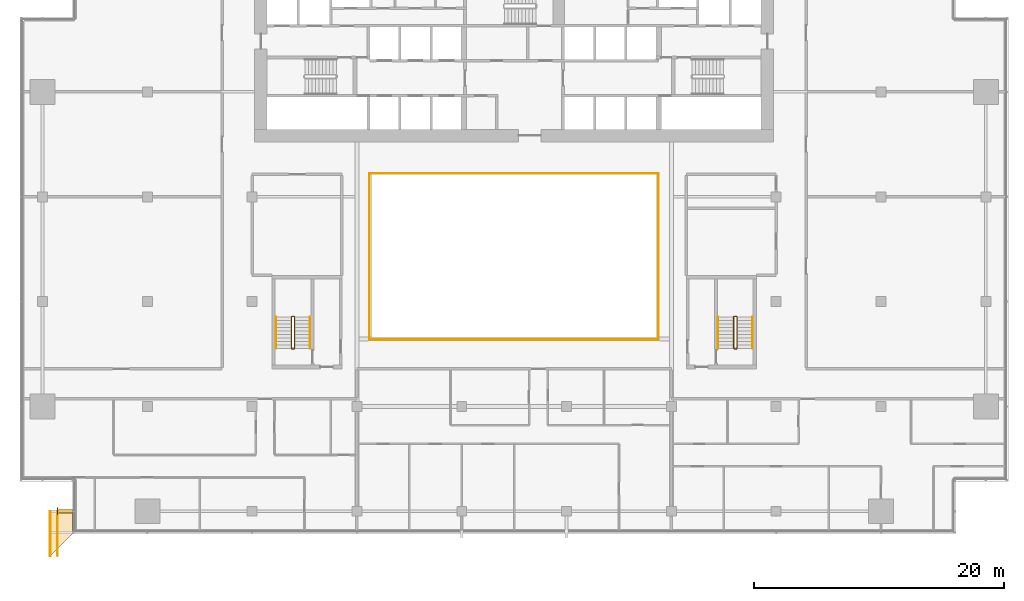
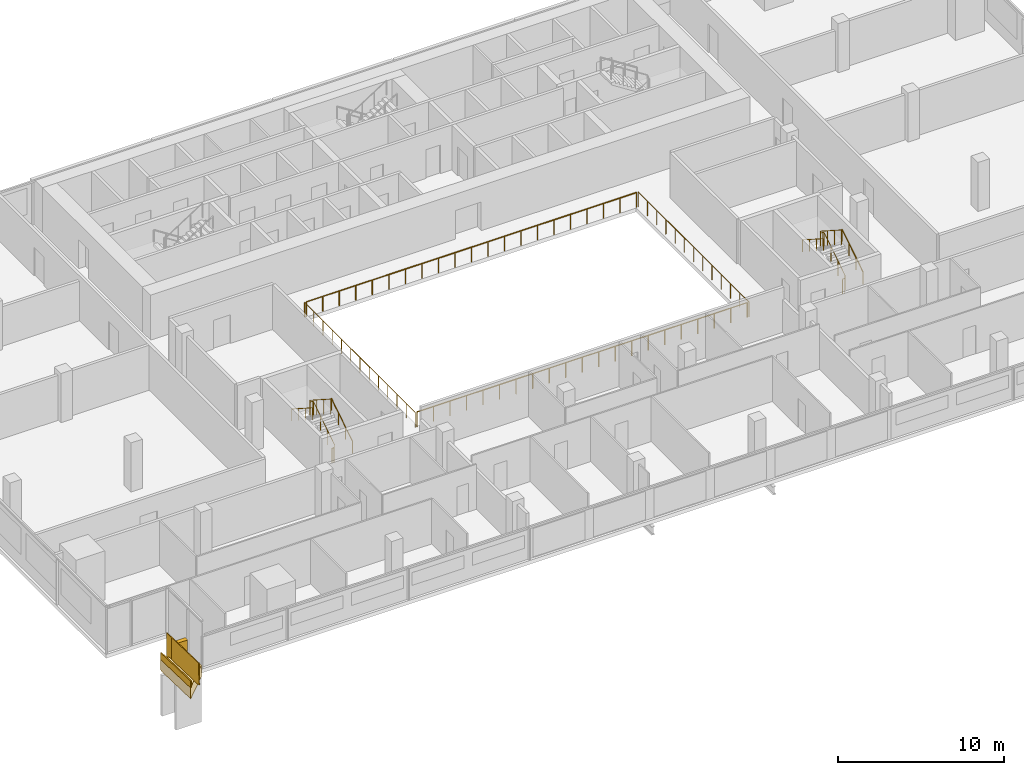
# One storey, part 25 of 26: 12 railings, 3 coverings.
"""IFC4 building model written with IfcOpenShell, lengths in metres."""

from ifc_helpers import new_model, si_unit, direction, frame, origin, origin_2d, place, context, subcontext, project, spatial, polyline, rectangle, circle, outline, extrude, material, layer, layer_set, type_object, element, save


model = new_model("IFC4")

# Units and contexts
model_context = context("Model", 3, precision=1e-05, world=origin(), true_north=direction((0.0, 1.0)))
body_context = subcontext(model_context, "Body", "Model", "MODEL_VIEW")
ifc_project = project(units=[si_unit("LENGTHUNIT", "METRE"), si_unit("AREAUNIT", "SQUARE_METRE"), si_unit("VOLUMEUNIT", "CUBIC_METRE"), si_unit("PLANEANGLEUNIT", "RADIAN"), si_unit("MASSUNIT", "GRAM", prefix="KILO")], contexts=[model_context])

# Site, building, storey
site_placement = place(None, origin())
site = spatial("IfcSite", under=ifc_project, at=site_placement, CompositionType="ELEMENT")
building_placement = place(site_placement, origin())
building = spatial("IfcBuilding", under=site, at=building_placement, Name="Saffron Gate Tower", CompositionType="ELEMENT")
storey_placement = place(building_placement, frame((0.0, 0.0, 138.449951171875)))
storey = spatial("IfcBuildingStorey", under=building, at=storey_placement, Name="L33", CompositionType="ELEMENT", Elevation=138.449951171875)

# Railings
ifc_material_1 = material(Name="Stainless steel and laminated glass", Category="steel")
railing_type_1 = type_object("IfcRailingType", Name="AG1 Atrium edge guard 1100", PredefinedType="GUARDRAIL", material=ifc_material_1)
railing_1_placement = place(storey_placement, frame((76.02001953125, 45.5400390625, 0.0)))
element("IfcRailing", 1, at=railing_1_placement, inside=storey, type_object=railing_type_1, Name="Guard B5-1", PredefinedType="GUARDRAIL", context=body_context, shape_type="SweptSolid", body=[
    extrude(circle(Radius=0.02392578125, at=origin_2d()), frame((0.0, 0.0, 1.076171875), z_axis=(0.0, 1.0, 0.0), x_axis=(-1.0, 0.0, 0.0)), (0.0, 0.0, 1.0), 13.320068359375),
    extrude(circle(Radius=0.02099609375, at=origin_2d()), origin(), (0.0, 0.0, 1.0), 1.052001953125),
    extrude(circle(Radius=0.02099609375, at=origin_2d()), frame((0.0, 1.110107421875, 0.0)), (0.0, 0.0, 1.0), 1.052001953125),
    extrude(circle(Radius=0.02099609375, at=origin_2d()), frame((0.0, 2.219970703125, 0.0)), (0.0, 0.0, 1.0), 1.052001953125),
    extrude(circle(Radius=0.02099609375, at=origin_2d()), frame((0.0, 3.330078125, 0.0)), (0.0, 0.0, 1.0), 1.052001953125),
    extrude(circle(Radius=0.02099609375, at=origin_2d()), frame((0.0, 4.43994140625, 0.0)), (0.0, 0.0, 1.0), 1.052001953125),
    extrude(circle(Radius=0.02099609375, at=origin_2d()), frame((0.0, 5.550048828125, 0.0)), (0.0, 0.0, 1.0), 1.052001953125),
    extrude(circle(Radius=0.02099609375, at=origin_2d()), frame((0.0, 6.66015625, 0.0)), (0.0, 0.0, 1.0), 1.052001953125),
    extrude(circle(Radius=0.02099609375, at=origin_2d()), frame((0.0, 7.77001953125, 0.0)), (0.0, 0.0, 1.0), 1.052001953125),
    extrude(circle(Radius=0.02099609375, at=origin_2d()), frame((0.0, 8.880126953125, 0.0)), (0.0, 0.0, 1.0), 1.052001953125),
    extrude(circle(Radius=0.02099609375, at=origin_2d()), frame((0.0, 9.989990234375, 0.0)), (0.0, 0.0, 1.0), 1.052001953125),
    extrude(circle(Radius=0.02099609375, at=origin_2d()), frame((0.0, 11.10009765625, 0.0)), (0.0, 0.0, 1.0), 1.052001953125),
    extrude(circle(Radius=0.02099609375, at=origin_2d()), frame((0.0, 12.2099609375, 0.0)), (0.0, 0.0, 1.0), 1.052001953125),
    extrude(circle(Radius=0.02099609375, at=origin_2d()), frame((0.0, 13.320068359375, 0.0)), (0.0, 0.0, 1.0), 1.052001953125),
])
railing_2_placement = place(storey_placement, frame((76.139892578125, 58.860107421875, 0.0)))
element("IfcRailing", 2, at=railing_2_placement, inside=storey, type_object=railing_type_1, Name="Guard B5-2", PredefinedType="GUARDRAIL", context=body_context, shape_type="SweptSolid", body=[
    extrude(circle(Radius=0.02392578125, at=origin_2d()), frame((0.0, 0.0, 1.076171875), z_axis=(1.0, 0.0, 0.0), x_axis=(0.0, 1.0, 0.0)), (0.0, 0.0, 1.0), 22.920166015625),
    extrude(circle(Radius=0.02099609375, at=origin_2d()), origin(), (0.0, 0.0, 1.0), 1.052001953125),
    extrude(circle(Radius=0.02099609375, at=origin_2d()), frame((1.14599609375, 0.0, 0.0)), (0.0, 0.0, 1.0), 1.052001953125),
    extrude(circle(Radius=0.02099609375, at=origin_2d()), frame((2.2919921875, 0.0, 0.0)), (0.0, 0.0, 1.0), 1.052001953125),
    extrude(circle(Radius=0.02099609375, at=origin_2d()), frame((3.43798828125, 0.0, 0.0)), (0.0, 0.0, 1.0), 1.052001953125),
    extrude(circle(Radius=0.02099609375, at=origin_2d()), frame((4.583984375, 0.0, 0.0)), (0.0, 0.0, 1.0), 1.052001953125),
    extrude(circle(Radius=0.02099609375, at=origin_2d()), frame((5.72998046875, 0.0, 0.0)), (0.0, 0.0, 1.0), 1.052001953125),
    extrude(circle(Radius=0.02099609375, at=origin_2d()), frame((6.8759765625, 0.0, 0.0)), (0.0, 0.0, 1.0), 1.052001953125),
    extrude(circle(Radius=0.02099609375, at=origin_2d()), frame((8.02197265625, 0.0, 0.0)), (0.0, 0.0, 1.0), 1.052001953125),
    extrude(circle(Radius=0.02099609375, at=origin_2d()), frame((9.16796875, 0.0, 0.0)), (0.0, 0.0, 1.0), 1.052001953125),
    extrude(circle(Radius=0.02099609375, at=origin_2d()), frame((10.31396484375, 0.0, 0.0)), (0.0, 0.0, 1.0), 1.052001953125),
    extrude(circle(Radius=0.02099609375, at=origin_2d()), frame((11.4599609375, 0.0, 0.0)), (0.0, 0.0, 1.0), 1.052001953125),
    extrude(circle(Radius=0.02099609375, at=origin_2d()), frame((12.606201171875, 0.0, 0.0)), (0.0, 0.0, 1.0), 1.052001953125),
    extrude(circle(Radius=0.02099609375, at=origin_2d()), frame((13.752197265625, 0.0, 0.0)), (0.0, 0.0, 1.0), 1.052001953125),
    extrude(circle(Radius=0.02099609375, at=origin_2d()), frame((14.898193359375, 0.0, 0.0)), (0.0, 0.0, 1.0), 1.052001953125),
    extrude(circle(Radius=0.02099609375, at=origin_2d()), frame((16.044189453125, 0.0, 0.0)), (0.0, 0.0, 1.0), 1.052001953125),
    extrude(circle(Radius=0.02099609375, at=origin_2d()), frame((17.190185546875, 0.0, 0.0)), (0.0, 0.0, 1.0), 1.052001953125),
    extrude(circle(Radius=0.02099609375, at=origin_2d()), frame((18.336181640625, 0.0, 0.0)), (0.0, 0.0, 1.0), 1.052001953125),
    extrude(circle(Radius=0.02099609375, at=origin_2d()), frame((19.482177734375, 0.0, 0.0)), (0.0, 0.0, 1.0), 1.052001953125),
    extrude(circle(Radius=0.02099609375, at=origin_2d()), frame((20.628173828125, 0.0, 0.0)), (0.0, 0.0, 1.0), 1.052001953125),
    extrude(circle(Radius=0.02099609375, at=origin_2d()), frame((21.774169921875, 0.0, 0.0)), (0.0, 0.0, 1.0), 1.052001953125),
    extrude(circle(Radius=0.02099609375, at=origin_2d()), frame((22.920166015625, 0.0, 0.0)), (0.0, 0.0, 1.0), 1.052001953125),
])
railing_3_placement = place(storey_placement, frame((99.179931640625, 58.860107421875, 0.0)))
element("IfcRailing", 3, at=railing_3_placement, inside=storey, type_object=railing_type_1, Name="Guard B5-3", PredefinedType="GUARDRAIL", context=body_context, shape_type="SweptSolid", body=[
    extrude(circle(Radius=0.02392578125, at=origin_2d()), frame((0.0, 0.0, 1.076171875), z_axis=(0.0, -1.0, 0.0), x_axis=(1.0, 0.0, 0.0)), (0.0, 0.0, 1.0), 13.320068359375),
    extrude(circle(Radius=0.02099609375, at=origin_2d()), origin(), (0.0, 0.0, 1.0), 1.052001953125),
    extrude(circle(Radius=0.02099609375, at=origin_2d()), frame((0.0, -1.110107421875, 0.0)), (0.0, 0.0, 1.0), 1.052001953125),
    extrude(circle(Radius=0.02099609375, at=origin_2d()), frame((0.0, -2.219970703125, 0.0)), (0.0, 0.0, 1.0), 1.052001953125),
    extrude(circle(Radius=0.02099609375, at=origin_2d()), frame((0.0, -3.330078125, 0.0)), (0.0, 0.0, 1.0), 1.052001953125),
    extrude(circle(Radius=0.02099609375, at=origin_2d()), frame((0.0, -4.43994140625, 0.0)), (0.0, 0.0, 1.0), 1.052001953125),
    extrude(circle(Radius=0.02099609375, at=origin_2d()), frame((0.0, -5.550048828125, 0.0)), (0.0, 0.0, 1.0), 1.052001953125),
    extrude(circle(Radius=0.02099609375, at=origin_2d()), frame((0.0, -6.66015625, 0.0)), (0.0, 0.0, 1.0), 1.052001953125),
    extrude(circle(Radius=0.02099609375, at=origin_2d()), frame((0.0, -7.77001953125, 0.0)), (0.0, 0.0, 1.0), 1.052001953125),
    extrude(circle(Radius=0.02099609375, at=origin_2d()), frame((0.0, -8.880126953125, 0.0)), (0.0, 0.0, 1.0), 1.052001953125),
    extrude(circle(Radius=0.02099609375, at=origin_2d()), frame((0.0, -9.989990234375, 0.0)), (0.0, 0.0, 1.0), 1.052001953125),
    extrude(circle(Radius=0.02099609375, at=origin_2d()), frame((0.0, -11.10009765625, 0.0)), (0.0, 0.0, 1.0), 1.052001953125),
    extrude(circle(Radius=0.02099609375, at=origin_2d()), frame((0.0, -12.2099609375, 0.0)), (0.0, 0.0, 1.0), 1.052001953125),
    extrude(circle(Radius=0.02099609375, at=origin_2d()), frame((0.0, -13.320068359375, 0.0)), (0.0, 0.0, 1.0), 1.052001953125),
])
railing_4_placement = place(storey_placement, frame((99.06005859375, 45.5400390625, 0.0)))
element("IfcRailing", 4, at=railing_4_placement, inside=storey, type_object=railing_type_1, Name="Guard B5-4", PredefinedType="GUARDRAIL", context=body_context, shape_type="SweptSolid", body=[
    extrude(circle(Radius=0.02392578125, at=origin_2d()), frame((0.0, 0.0, 1.076171875), z_axis=(-1.0, 0.0, 0.0), x_axis=(0.0, -1.0, 0.0)), (0.0, 0.0, 1.0), 22.920166015625),
    extrude(circle(Radius=0.02099609375, at=origin_2d()), origin(), (0.0, 0.0, 1.0), 1.052001953125),
    extrude(circle(Radius=0.02099609375, at=origin_2d()), frame((-1.14599609375, 0.0, 0.0)), (0.0, 0.0, 1.0), 1.052001953125),
    extrude(circle(Radius=0.02099609375, at=origin_2d()), frame((-2.2919921875, 0.0, 0.0)), (0.0, 0.0, 1.0), 1.052001953125),
    extrude(circle(Radius=0.02099609375, at=origin_2d()), frame((-3.43798828125, 0.0, 0.0)), (0.0, 0.0, 1.0), 1.052001953125),
    extrude(circle(Radius=0.02099609375, at=origin_2d()), frame((-4.583984375, 0.0, 0.0)), (0.0, 0.0, 1.0), 1.052001953125),
    extrude(circle(Radius=0.02099609375, at=origin_2d()), frame((-5.72998046875, 0.0, 0.0)), (0.0, 0.0, 1.0), 1.052001953125),
    extrude(circle(Radius=0.02099609375, at=origin_2d()), frame((-6.8759765625, 0.0, 0.0)), (0.0, 0.0, 1.0), 1.052001953125),
    extrude(circle(Radius=0.02099609375, at=origin_2d()), frame((-8.02197265625, 0.0, 0.0)), (0.0, 0.0, 1.0), 1.052001953125),
    extrude(circle(Radius=0.02099609375, at=origin_2d()), frame((-9.16796875, 0.0, 0.0)), (0.0, 0.0, 1.0), 1.052001953125),
    extrude(circle(Radius=0.02099609375, at=origin_2d()), frame((-10.31396484375, 0.0, 0.0)), (0.0, 0.0, 1.0), 1.052001953125),
    extrude(circle(Radius=0.02099609375, at=origin_2d()), frame((-11.4599609375, 0.0, 0.0)), (0.0, 0.0, 1.0), 1.052001953125),
    extrude(circle(Radius=0.02099609375, at=origin_2d()), frame((-12.606201171875, 0.0, 0.0)), (0.0, 0.0, 1.0), 1.052001953125),
    extrude(circle(Radius=0.02099609375, at=origin_2d()), frame((-13.752197265625, 0.0, 0.0)), (0.0, 0.0, 1.0), 1.052001953125),
    extrude(circle(Radius=0.02099609375, at=origin_2d()), frame((-14.898193359375, 0.0, 0.0)), (0.0, 0.0, 1.0), 1.052001953125),
    extrude(circle(Radius=0.02099609375, at=origin_2d()), frame((-16.044189453125, 0.0, 0.0)), (0.0, 0.0, 1.0), 1.052001953125),
    extrude(circle(Radius=0.02099609375, at=origin_2d()), frame((-17.190185546875, 0.0, 0.0)), (0.0, 0.0, 1.0), 1.052001953125),
    extrude(circle(Radius=0.02099609375, at=origin_2d()), frame((-18.336181640625, 0.0, 0.0)), (0.0, 0.0, 1.0), 1.052001953125),
    extrude(circle(Radius=0.02099609375, at=origin_2d()), frame((-19.482177734375, 0.0, 0.0)), (0.0, 0.0, 1.0), 1.052001953125),
    extrude(circle(Radius=0.02099609375, at=origin_2d()), frame((-20.628173828125, 0.0, 0.0)), (0.0, 0.0, 1.0), 1.052001953125),
    extrude(circle(Radius=0.02099609375, at=origin_2d()), frame((-21.774169921875, 0.0, 0.0)), (0.0, 0.0, 1.0), 1.052001953125),
    extrude(circle(Radius=0.02099609375, at=origin_2d()), frame((-22.920166015625, 0.0, 0.0)), (0.0, 0.0, 1.0), 1.052001953125),
])
railing_type_2 = type_object("IfcRailingType", Name="CR1 Stair guard 1100", PredefinedType="GUARDRAIL", material=ifc_material_1)
railing_5_placement = place(storey_placement, frame((69.800048828125, 44.800048828125, 0.0)))
element("IfcRailing", 5, at=railing_5_placement, inside=storey, type_object=railing_type_2, Name="L33 ST-D stair guard 1", PredefinedType="GUARDRAIL", context=body_context, shape_type="SweptSolid", body=[
    extrude(circle(Radius=0.02392578125, at=origin_2d()), frame((0.0, 0.0, 1.076171875), z_axis=(1.0, 0.0, 0.0), x_axis=(0.0, 1.0, 0.0)), (0.0, 0.0, 1.0), 0.14990234375),
    extrude(circle(Radius=0.02392578125, at=origin_2d()), frame((0.14990234375, 0.0, 1.076171875), z_axis=(0.258847668887, 0.258847668887, 0.930588936439), x_axis=(-0.707106781187, 0.707106781187, 0.0)), (0.0, 0.0, 1.0), 0.193359375),
    extrude(circle(Radius=0.02392578125, at=origin_2d()), frame((0.199951171875, 0.050048828125, 1.255859375), z_axis=(0.0, 0.841162588446, 0.540782303519), x_axis=(-1.0, 0.0, 0.0)), (0.0, 0.0, 1.0), 2.995849609375),
    extrude(circle(Radius=0.02392578125, at=origin_2d()), frame((0.199951171875, 2.570068359375, 2.8759765625), z_axis=(-0.708833529934, 0.705375805398, 0.0), x_axis=(-0.705375805398, -0.708833529934, 0.0)), (0.0, 0.0, 1.0), 0.070556640625),
    extrude(circle(Radius=0.02392578125, at=origin_2d()), frame((0.14990234375, 2.619873046875, 2.8759765625), z_axis=(-1.0, 0.0, 0.0), x_axis=(0.0, -1.0, 0.0)), (0.0, 0.0, 1.0), 0.14990234375),
    extrude(circle(Radius=0.02392578125, at=origin_2d()), frame((0.0, 2.619873046875, 2.8759765625), z_axis=(-0.258932105505, -0.257669022063, 0.930892496375), x_axis=(0.705375805398, -0.708833529934, 0.0)), (0.0, 0.0, 1.0), 0.193359375),
    extrude(circle(Radius=0.02392578125, at=origin_2d()), frame((-0.050048828125, 2.570068359375, 3.05615234375), z_axis=(0.0, -0.841162588446, 0.540782303519), x_axis=(1.0, 0.0, 0.0)), (0.0, 0.0, 1.0), 2.995849609375),
    extrude(circle(Radius=0.02099609375, at=origin_2d()), origin(), (0.0, 0.0, 1.0), 1.052001953125),
    extrude(circle(Radius=0.02099609375, at=origin_2d()), frame((0.14990234375, 0.0, 0.0)), (0.0, 0.0, 1.0), 1.052001953125),
    extrude(circle(Radius=0.02099609375, at=origin_2d()), frame((0.199951171875, 0.050048828125, 0.179931640625)), (0.0, 0.0, 1.0), 1.052001953125),
    extrude(circle(Radius=0.02099609375, at=origin_2d()), frame((0.199951171875, 0.89013671875, 0.719970703125)), (0.0, 0.0, 1.0), 1.052001953125),
    extrude(circle(Radius=0.02099609375, at=origin_2d()), frame((0.199951171875, 1.72998046875, 1.260009765625)), (0.0, 0.0, 1.0), 1.052001953125),
    extrude(circle(Radius=0.02099609375, at=origin_2d()), frame((0.199951171875, 2.570068359375, 1.800048828125)), (0.0, 0.0, 1.0), 1.052001953125),
    extrude(circle(Radius=0.02099609375, at=origin_2d()), frame((0.14990234375, 2.619873046875, 1.800048828125)), (0.0, 0.0, 1.0), 1.052001953125),
    extrude(circle(Radius=0.02099609375, at=origin_2d()), frame((0.0, 2.619873046875, 1.800048828125)), (0.0, 0.0, 1.0), 1.052001953125),
    extrude(circle(Radius=0.02099609375, at=origin_2d()), frame((-0.050048828125, 2.570068359375, 1.97998046875)), (0.0, 0.0, 1.0), 1.052001953125),
    extrude(circle(Radius=0.02099609375, at=origin_2d()), frame((-0.050048828125, 1.72998046875, 2.52001953125)), (0.0, 0.0, 1.0), 1.052001953125),
    extrude(circle(Radius=0.02099609375, at=origin_2d()), frame((-0.050048828125, 0.89013671875, 3.06005859375)), (0.0, 0.0, 1.0), 1.052001953125),
    extrude(circle(Radius=0.02099609375, at=origin_2d()), frame((-0.050048828125, 0.050048828125, 3.60009765625)), (0.0, 0.0, 1.0), 1.052001953125),
])
railing_6_placement = place(storey_placement, frame((105.25, 44.800048828125, 0.0)))
element("IfcRailing", 6, at=railing_6_placement, inside=storey, type_object=railing_type_2, Name="L33 ST-E stair guard 1", PredefinedType="GUARDRAIL", context=body_context, shape_type="SweptSolid", body=[
    extrude(circle(Radius=0.02392578125, at=origin_2d()), frame((0.0, 0.0, 1.076171875), z_axis=(1.0, 0.0, 0.0), x_axis=(0.0, 1.0, 0.0)), (0.0, 0.0, 1.0), 0.14990234375),
    extrude(circle(Radius=0.02392578125, at=origin_2d()), frame((0.14990234375, 0.0, 1.076171875), z_axis=(0.258847668887, 0.258847668887, 0.930588936439), x_axis=(-0.707106781187, 0.707106781187, 0.0)), (0.0, 0.0, 1.0), 0.193359375),
    extrude(circle(Radius=0.02392578125, at=origin_2d()), frame((0.199951171875, 0.050048828125, 1.255859375), z_axis=(0.0, 0.841162588446, 0.540782303519), x_axis=(-1.0, 0.0, 0.0)), (0.0, 0.0, 1.0), 2.995849609375),
    extrude(circle(Radius=0.02392578125, at=origin_2d()), frame((0.199951171875, 2.570068359375, 2.8759765625), z_axis=(-0.708833529934, 0.705375805398, 0.0), x_axis=(-0.705375805398, -0.708833529934, 0.0)), (0.0, 0.0, 1.0), 0.070556640625),
    extrude(circle(Radius=0.02392578125, at=origin_2d()), frame((0.14990234375, 2.619873046875, 2.8759765625), z_axis=(-1.0, 0.0, 0.0), x_axis=(0.0, -1.0, 0.0)), (0.0, 0.0, 1.0), 0.14990234375),
    extrude(circle(Radius=0.02392578125, at=origin_2d()), frame((0.0, 2.619873046875, 2.8759765625), z_axis=(-0.258932105505, -0.257669022063, 0.930892496375), x_axis=(0.705375805398, -0.708833529934, 0.0)), (0.0, 0.0, 1.0), 0.193359375),
    extrude(circle(Radius=0.02392578125, at=origin_2d()), frame((-0.050048828125, 2.570068359375, 3.05615234375), z_axis=(0.0, -0.841162588446, 0.540782303519), x_axis=(1.0, 0.0, 0.0)), (0.0, 0.0, 1.0), 2.995849609375),
    extrude(circle(Radius=0.02099609375, at=origin_2d()), origin(), (0.0, 0.0, 1.0), 1.052001953125),
    extrude(circle(Radius=0.02099609375, at=origin_2d()), frame((0.14990234375, 0.0, 0.0)), (0.0, 0.0, 1.0), 1.052001953125),
    extrude(circle(Radius=0.02099609375, at=origin_2d()), frame((0.199951171875, 0.050048828125, 0.179931640625)), (0.0, 0.0, 1.0), 1.052001953125),
    extrude(circle(Radius=0.02099609375, at=origin_2d()), frame((0.199951171875, 0.89013671875, 0.719970703125)), (0.0, 0.0, 1.0), 1.052001953125),
    extrude(circle(Radius=0.02099609375, at=origin_2d()), frame((0.199951171875, 1.72998046875, 1.260009765625)), (0.0, 0.0, 1.0), 1.052001953125),
    extrude(circle(Radius=0.02099609375, at=origin_2d()), frame((0.199951171875, 2.570068359375, 1.800048828125)), (0.0, 0.0, 1.0), 1.052001953125),
    extrude(circle(Radius=0.02099609375, at=origin_2d()), frame((0.14990234375, 2.619873046875, 1.800048828125)), (0.0, 0.0, 1.0), 1.052001953125),
    extrude(circle(Radius=0.02099609375, at=origin_2d()), frame((0.0, 2.619873046875, 1.800048828125)), (0.0, 0.0, 1.0), 1.052001953125),
    extrude(circle(Radius=0.02099609375, at=origin_2d()), frame((-0.050048828125, 2.570068359375, 1.97998046875)), (0.0, 0.0, 1.0), 1.052001953125),
    extrude(circle(Radius=0.02099609375, at=origin_2d()), frame((-0.050048828125, 1.72998046875, 2.52001953125)), (0.0, 0.0, 1.0), 1.052001953125),
    extrude(circle(Radius=0.02099609375, at=origin_2d()), frame((-0.050048828125, 0.89013671875, 3.06005859375)), (0.0, 0.0, 1.0), 1.052001953125),
    extrude(circle(Radius=0.02099609375, at=origin_2d()), frame((-0.050048828125, 0.050048828125, 3.60009765625)), (0.0, 0.0, 1.0), 1.052001953125),
])
ifc_material_2 = material(Name="Stainless steel", Category="steel")
railing_type_3 = type_object("IfcRailingType", Name="CR2 Stair handrail 900", PredefinedType="HANDRAIL", material=ifc_material_2)
railing_7_placement = place(storey_placement, frame((71.25, 44.85009765625, 0.179931640625)))
element("IfcRailing", 7, at=railing_7_placement, inside=storey, type_object=railing_type_3, Name="L33 ST-D stair handrail 1", PredefinedType="HANDRAIL", context=body_context, shape_type="SweptSolid", body=[
    extrude(circle(Radius=0.02392578125, at=origin_2d()), frame((0.0, 0.0, 0.8759765625), z_axis=(0.0, 0.841162588446, 0.540782303519), x_axis=(-1.0, 0.0, 0.0)), (0.0, 0.0, 1.0), 2.995849609375),
    extrude(circle(Radius=0.02099609375, at=origin_2d()), origin(), (0.0, 0.0, 1.0), 0.851806640625),
    extrude(circle(Radius=0.02099609375, at=origin_2d()), frame((0.0, 0.840087890625, 0.5400390625)), (0.0, 0.0, 1.0), 0.851806640625),
    extrude(circle(Radius=0.02099609375, at=origin_2d()), frame((0.0, 1.679931640625, 1.080078125)), (0.0, 0.0, 1.0), 0.851806640625),
    extrude(circle(Radius=0.02099609375, at=origin_2d()), frame((0.0, 2.52001953125, 1.6201171875)), (0.0, 0.0, 1.0), 0.851806640625),
])
railing_8_placement = place(storey_placement, frame((68.5, 47.3701171875, 1.97998046875)))
element("IfcRailing", 8, at=railing_8_placement, inside=storey, type_object=railing_type_3, Name="L33 ST-D stair handrail 2", PredefinedType="HANDRAIL", context=body_context, shape_type="SweptSolid", body=[
    extrude(circle(Radius=0.02392578125, at=origin_2d()), frame((0.0, 0.0, 0.8759765625), z_axis=(0.0, -0.841162588446, 0.540782303519), x_axis=(1.0, 0.0, 0.0)), (0.0, 0.0, 1.0), 2.995849609375),
    extrude(circle(Radius=0.02099609375, at=origin_2d()), origin(), (0.0, 0.0, 1.0), 0.851806640625),
    extrude(circle(Radius=0.02099609375, at=origin_2d()), frame((0.0, -0.840087890625, 0.5400390625)), (0.0, 0.0, 1.0), 0.851806640625),
    extrude(circle(Radius=0.02099609375, at=origin_2d()), frame((0.0, -1.679931640625, 1.080078125)), (0.0, 0.0, 1.0), 0.851806640625),
    extrude(circle(Radius=0.02099609375, at=origin_2d()), frame((0.0, -2.52001953125, 1.6201171875)), (0.0, 0.0, 1.0), 0.851806640625),
])
railing_9_placement = place(storey_placement, frame((106.699951171875, 44.85009765625, 0.179931640625)))
element("IfcRailing", 9, at=railing_9_placement, inside=storey, type_object=railing_type_3, Name="L33 ST-E stair handrail 1", PredefinedType="HANDRAIL", context=body_context, shape_type="SweptSolid", body=[
    extrude(circle(Radius=0.02392578125, at=origin_2d()), frame((0.0, 0.0, 0.8759765625), z_axis=(0.0, 0.841162588446, 0.540782303519), x_axis=(-1.0, 0.0, 0.0)), (0.0, 0.0, 1.0), 2.995849609375),
    extrude(circle(Radius=0.02099609375, at=origin_2d()), origin(), (0.0, 0.0, 1.0), 0.851806640625),
    extrude(circle(Radius=0.02099609375, at=origin_2d()), frame((0.0, 0.840087890625, 0.5400390625)), (0.0, 0.0, 1.0), 0.851806640625),
    extrude(circle(Radius=0.02099609375, at=origin_2d()), frame((0.0, 1.679931640625, 1.080078125)), (0.0, 0.0, 1.0), 0.851806640625),
    extrude(circle(Radius=0.02099609375, at=origin_2d()), frame((0.0, 2.52001953125, 1.6201171875)), (0.0, 0.0, 1.0), 0.851806640625),
])
railing_10_placement = place(storey_placement, frame((103.949951171875, 47.3701171875, 1.97998046875)))
element("IfcRailing", 10, at=railing_10_placement, inside=storey, type_object=railing_type_3, Name="L33 ST-E stair handrail 2", PredefinedType="HANDRAIL", context=body_context, shape_type="SweptSolid", body=[
    extrude(circle(Radius=0.02392578125, at=origin_2d()), frame((0.0, 0.0, 0.8759765625), z_axis=(0.0, -0.841162588446, 0.540782303519), x_axis=(1.0, 0.0, 0.0)), (0.0, 0.0, 1.0), 2.995849609375),
    extrude(circle(Radius=0.02099609375, at=origin_2d()), origin(), (0.0, 0.0, 1.0), 0.851806640625),
    extrude(circle(Radius=0.02099609375, at=origin_2d()), frame((0.0, -0.840087890625, 0.5400390625)), (0.0, 0.0, 1.0), 0.851806640625),
    extrude(circle(Radius=0.02099609375, at=origin_2d()), frame((0.0, -1.679931640625, 1.080078125)), (0.0, 0.0, 1.0), 0.851806640625),
    extrude(circle(Radius=0.02099609375, at=origin_2d()), frame((0.0, -2.52001953125, 1.6201171875)), (0.0, 0.0, 1.0), 0.851806640625),
])

# Coverings
ifc_material_3 = material(Name="Timber, thermally modified ash", Category="wood")
ifc_layer_1 = layer(ifc_material_3, 0.800048828125)
ifc_layer_set_1 = layer_set([ifc_layer_1], Name="LD1 ledge timber")
covering_type_1 = type_object("IfcCoveringType", Name="LD1 ledge timber", PredefinedType="CLADDING", material=ifc_layer_set_1)
covering_1_placement = place(storey_placement, frame((52.199951171875, 31.800048828125, 0.2490234375), z_axis=(4.5191264e-05, 0.028786835276, 0.999585572161), x_axis=(2.041e-09, -0.999585573182, 0.028786835305)))
element("IfcCovering", 11, at=covering_1_placement, inside=storey, type_object=covering_type_1, Name="LEDGE", PredefinedType="CLADDING", context=body_context, shape_type="SweptSolid", body=[
    extrude(outline(polyline([(0.0, 0.0), (1.8007927832406818, 0.0), (3.601592590842695, -1.8000488373153904), (-3.674631647332522e-09, -1.800048826286925), (0.0, 0.0)])), origin(), (0.0, 0.0, -1.0), 0.800048828125),
])
ifc_layer_2 = layer(ifc_material_3, 0.080078125)
ifc_layer_set_2 = layer_set([ifc_layer_2], Name="LD2 ledge planter trough")
covering_type_2 = type_object("IfcCoveringType", Name="LD2 ledge planter trough", PredefinedType="CLADDING", material=ifc_layer_set_2)
covering_2_placement = place(storey_placement, frame((50.39990234375, 31.800048828125, 0.2490234375), z_axis=(-1.0, 0.0, 0.0), x_axis=(0.0, -0.99958492274, 0.028809412191)))
element("IfcCovering", 12, at=covering_2_placement, inside=storey, type_object=covering_type_2, Name="LEDGE planter trough", PredefinedType="CLADDING", context=body_context, shape_type="SweptSolid", body=[
    extrude(outline(polyline([(0.0, 0.0), (3.601592595435983, 0.0), (3.6159973015313485, 0.4997924613700232), (0.014404706095365512, 0.4997924613700232), (0.0, 0.0)])), origin(), (0.0, 0.0, -1.0), 0.080078125),
])
ifc_layer_3 = layer(ifc_material_3, 0.300048828125)
ifc_layer_set_3 = layer_set([ifc_layer_3], Name="LD3 ledge riser fin")
covering_type_3 = type_object("IfcCoveringType", Name="LD3 ledge riser fin", PredefinedType="CLADDING", material=ifc_layer_set_3)
covering_3_placement = place(storey_placement, frame((51.639892578125, 31.800048828125, -0.89404296875), z_axis=(0.0, 0.0, 1.0), x_axis=(0.0, -1.0, 0.0)))
element("IfcCovering", 13, at=covering_3_placement, inside=storey, type_object=covering_type_3, Name="LEDGE riser fin", PredefinedType="CLADDING", context=body_context, shape_type="SweptSolid", body=[
    extrude(rectangle(XDim=0.300048828125, YDim=1.1201171875, at=origin_2d()), origin(), (0.0, 0.0, 1.0), 2.04296875),
])

# Railings
railing_type_4 = type_object("IfcRailingType", Name="LG1 ledge balustrade", PredefinedType="BALUSTRADE", material=ifc_material_3)
railing_11_placement = place(storey_placement, frame((51.0, 31.800048828125, 0.2490234375)))
element("IfcRailing", 14, at=railing_11_placement, inside=storey, type_object=railing_type_4, Name="LEDGE BALUSTRADE", PredefinedType="BALUSTRADE", context=body_context, shape_type="SweptSolid", body=[
    extrude(rectangle(XDim=0.06005859375, YDim=1.60009765625, at=origin_2d()), frame((0.0, 0.0, 0.800048828125), z_axis=(0.0, -0.99958492274, 0.028809412191), x_axis=(1.0, 0.0, 0.0)), (0.0, 0.0, 1.0), 3.6015625),
])
railing_12_placement = place(storey_placement, frame((51.0, 32.10009765625, -0.093994140625)))
element("IfcRailing", 15, at=railing_12_placement, inside=storey, type_object=railing_type_4, Name="LEDGE BALUSTRADE", PredefinedType="BALUSTRADE", context=body_context, shape_type="SweptSolid", body=[
    extrude(rectangle(XDim=0.06005859375, YDim=1.943115234375, at=origin_2d()), frame((0.0, 0.0, 0.9716796875), z_axis=(0.0, -1.0, 0.0), x_axis=(1.0, 0.0, 0.0)), (0.0, 0.0, 1.0), 0.60009765625),
])

save(model, "model.ifc")
